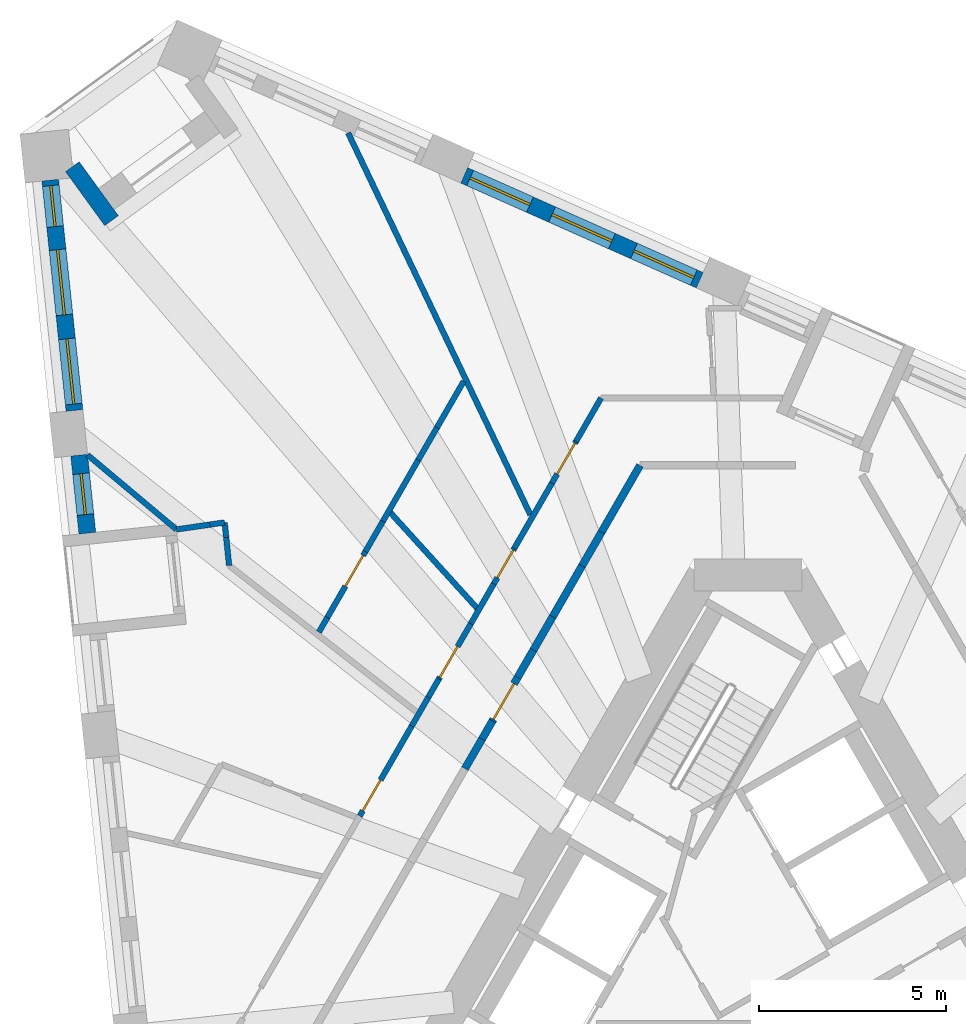
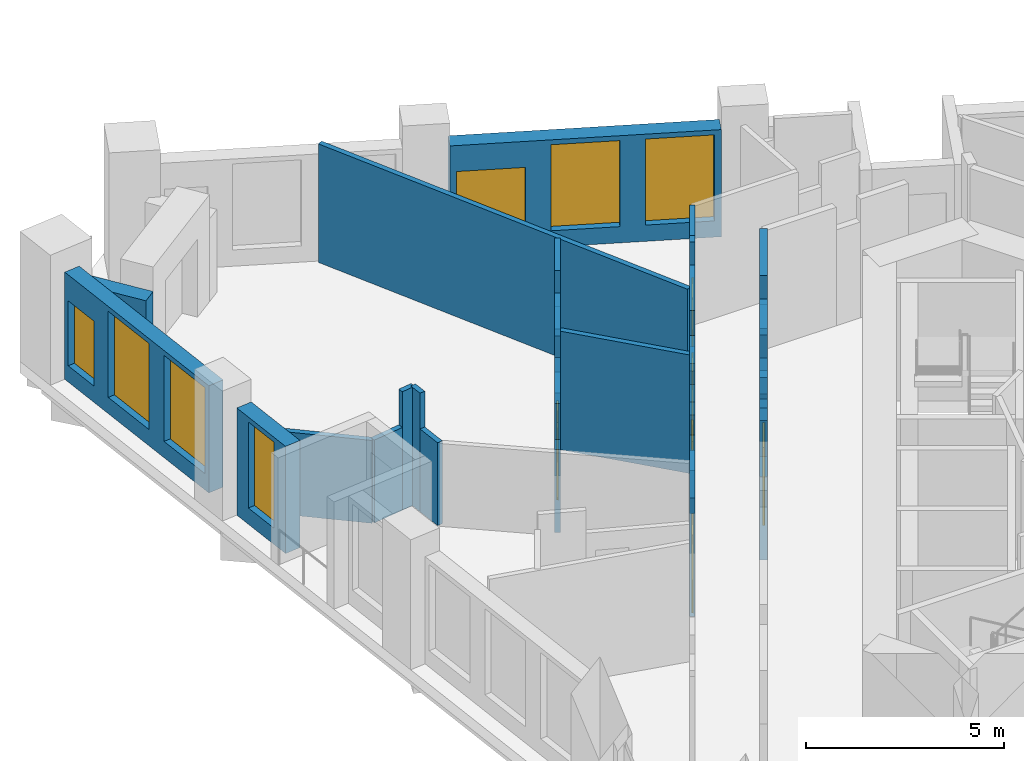
# One storey, part 7 of 14: 34 walls, 7 windows, 6 doors, 13 openings.
"""IFC4 building model written with IfcOpenShell, lengths in metres."""

from ifc_helpers import new_model, si_unit, direction, frame, frame_2d, origin, place, context, subcontext, project, spatial, polyline, rectangle, outline, extrude, material, layer, layer_set, type_object, element, fill, save


model = new_model("IFC4")

# Units and contexts
model_context = context("Model", 3, precision=1e-05, world=origin(), true_north=direction((0.0, 1.0)))
body_context = subcontext(model_context, "Body", "Model", "MODEL_VIEW")
ifc_project = project(units=[si_unit("LENGTHUNIT", "METRE"), si_unit("AREAUNIT", "SQUARE_METRE"), si_unit("VOLUMEUNIT", "CUBIC_METRE"), si_unit("PLANEANGLEUNIT", "RADIAN"), si_unit("MASSUNIT", "GRAM", prefix="KILO")], contexts=[model_context])

# Site, building, storey
site_placement = place(None, origin())
site = spatial("IfcSite", under=ifc_project, at=site_placement, CompositionType="ELEMENT")
building_placement = place(site_placement, origin())
building = spatial("IfcBuilding", under=site, at=building_placement, Name="Tramontana Tower", CompositionType="ELEMENT")
storey_placement = place(building_placement, frame((0.0, 0.0, 182.800048828125)))
storey = spatial("IfcBuildingStorey", under=building, at=storey_placement, Name="L42", CompositionType="ELEMENT", Elevation=182.800048828125)

# Walls
ifc_material_1 = material(Name="Blockwork", Category="masonry")
ifc_layer_1 = layer(ifc_material_1, 0.199951171875)
ifc_layer_set_1 = layer_set([ifc_layer_1], Name="ENTRY WALL 200")
wall_type_1 = type_object("IfcWallType", Name="ENTRY WALL 200", PredefinedType="SOLIDWALL", material=ifc_layer_set_1)
wall_1_placement = place(storey_placement, frame((-7.561279296875, 5.403564453125, 0.0), z_axis=(0.0, 0.0, 1.0), x_axis=(0.499977996243, 0.866038107287, 0.0)))
element("IfcWall", 1, at=wall_1_placement, inside=storey, type_object=wall_type_1, Name="Wall v41-ew4-5", PredefinedType="SOLIDWALL", context=body_context, shape_type="SweptSolid", body=[
    extrude(rectangle(XDim=0.90966796875, YDim=0.199951171875, at=frame_2d((0.454833984375, 0.0))), origin(), (0.0, 0.0, 1.0), 2.550048828125),
])
wall_2_placement = place(storey_placement, frame((-7.1064453125, 6.19140625, 0.0), z_axis=(0.0, 0.0, 1.0), x_axis=(0.499986818241, 0.866033014143, 0.0)))
element("IfcWall", 2, at=wall_2_placement, inside=storey, type_object=wall_type_1, Name="Wall v41-ew4-6", PredefinedType="SOLIDWALL", context=body_context, shape_type="SweptSolid", body=[
    extrude(rectangle(XDim=0.5595703125, YDim=0.199951171875, at=frame_2d((0.27978515625, 0.0))), origin(), (0.0, 0.0, 1.0), 3.64990234375),
])

# Wall, opening, door
wall_3_placement = place(storey_placement, frame((-6.82666015625, 6.676025390625, 0.0), z_axis=(0.0, 0.0, 1.0), x_axis=(0.500062873969, 0.865989100438, 0.0)))
wall_3 = element("IfcWall", 3, at=wall_3_placement, inside=storey, type_object=wall_type_1, Name="Wall v41-ew4-7", PredefinedType="SOLIDWALL", context=body_context, shape_type="SweptSolid", body=[
    extrude(outline(polyline([(0.0, 0.0), (1.344970703125, 0.0), (1.344970703125, 2.550048828125), (0.391357421875, 2.550048828125), (0.391357421875, 3.64990234375), (0.0, 3.64990234375), (0.0, 0.0)])), frame((0.0, 0.10009765625, 0.0), z_axis=(0.0, -1.0, 0.0), x_axis=(1.0, 0.0, 0.0)), (0.0, 0.0, 1.0), 0.199951171875),
])
opening_1_placement = place(wall_3_placement, frame((0.050048828125, 0.0, 0.0)))
opening_1 = element("IfcOpeningElement", 4, at=opening_1_placement, cuts=wall_3, Name="Opening B4B-24", PredefinedType="OPENING", context=body_context, shape_type="SweptSolid", body=[
    extrude(rectangle(XDim=1.10009765625, YDim=2.39990234375, at=frame_2d((0.550048828125, 1.199951171875))), frame((0.0, 0.10986328125, 0.0), z_axis=(0.0, -1.0, 0.0), x_axis=(1.0, 0.0, 0.0)), (0.0, 0.0, 1.0), 0.219970703125),
])
ifc_material_2 = material(Name="Painted timber", Category="wood")
door_type_1 = type_object("IfcDoorType", Name="DOOR ENTRY 1100", OperationType="SINGLE_SWING_LEFT", PredefinedType="DOOR", material=ifc_material_2)
door_1_placement = place(opening_1_placement, origin())
door_1 = element("IfcDoor", 5, at=door_1_placement, inside=storey, type_object=door_type_1, Name="Door B4B-24", OperationType="SINGLE_SWING_RIGHT", OverallHeight=2.39990234375, OverallWidth=1.10009765625, PredefinedType="DOOR", context=body_context, shape_type="SweptSolid", body=[
    extrude(rectangle(XDim=1.10009765625, YDim=2.39990234375, at=frame_2d((0.550048828125, 1.199951171875))), frame((0.0, 0.02490234375, 0.0), z_axis=(0.0, -1.0, 0.0), x_axis=(1.0, 0.0, 0.0)), (0.0, 0.0, 1.0), 0.050048828125),
])
fill(opening_1, door_1)

# Walls
wall_4_placement = place(storey_placement, frame((-6.154052734375, 7.8408203125, 0.0), z_axis=(0.0, 0.0, 1.0), x_axis=(0.499822960955, 0.8661275932, 0.0)))
element("IfcWall", 6, at=wall_4_placement, inside=storey, type_object=wall_type_1, Name="Wall v41-ew4-8", PredefinedType="SOLIDWALL", context=body_context, shape_type="SweptSolid", body=[
    extrude(rectangle(XDim=0.841064453125, YDim=0.199951171875, at=frame_2d((0.42041015625, 0.0))), origin(), (0.0, 0.0, 1.0), 3.64990234375),
])
wall_5_placement = place(storey_placement, frame((-5.733642578125, 8.5693359375, 0.0), z_axis=(0.0, 0.0, 1.0), x_axis=(0.500079402778, 0.865979555715, 0.0)))
element("IfcWall", 7, at=wall_5_placement, inside=storey, type_object=wall_type_1, Name="Wall v41-ew4-9", PredefinedType="SOLIDWALL", context=body_context, shape_type="SweptSolid", body=[
    extrude(rectangle(XDim=1.026123046875, YDim=0.199951171875, at=frame_2d((0.51318359375, 0.0))), origin(), (0.0, 0.0, 1.0), 2.550048828125),
])
wall_6_placement = place(storey_placement, frame((-5.220458984375, 9.4580078125, 0.0), z_axis=(0.0, 0.0, 1.0), x_axis=(0.500031717574, 0.86600709086, 0.0)))
element("IfcWall", 8, at=wall_6_placement, inside=storey, type_object=wall_type_1, Name="Wall v41-ew4-10", PredefinedType="SOLIDWALL", context=body_context, shape_type="SweptSolid", body=[
    extrude(rectangle(XDim=1.57177734375, YDim=0.199951171875, at=frame_2d((0.785888671875, 0.0))), origin(), (0.0, 0.0, 1.0), 3.64990234375),
])
wall_7_placement = place(storey_placement, frame((-4.4345703125, 10.819091796875, 0.0), z_axis=(0.0, 0.0, 1.0), x_axis=(0.500054530113, 0.86599391852, 0.0)))
element("IfcWall", 9, at=wall_7_placement, inside=storey, type_object=wall_type_1, Name="Wall v41-ew4-11", PredefinedType="SOLIDWALL", context=body_context, shape_type="SweptSolid", body=[
    extrude(rectangle(XDim=1.03955078125, YDim=0.199951171875, at=frame_2d((0.519775390625, 0.0))), origin(), (0.0, 0.0, 1.0), 2.75),
])
wall_8_placement = place(storey_placement, frame((-3.914794921875, 11.71923828125, 0.0), z_axis=(0.0, 0.0, 1.0), x_axis=(0.499982825521, 0.866035319247, 0.0)))
element("IfcWall", 10, at=wall_8_placement, inside=storey, type_object=wall_type_1, Name="Wall v41-ew4-12", PredefinedType="SOLIDWALL", context=body_context, shape_type="SweptSolid", body=[
    extrude(rectangle(XDim=2.05615234375, YDim=0.199951171875, at=frame_2d((1.028076171875, 0.0))), origin(), (0.0, 0.0, 1.0), 3.64990234375),
])

# Wall, openings, windows
ifc_material_3 = material(Name="Precast concrete 60 MPa", Category="concrete")
ifc_layer_2 = layer(ifc_material_3, 0.449951171875)
ifc_layer_set_2 = layer_set([ifc_layer_2], Name="Precast concrete 60 MPa, 450 mm")
wall_type_2 = type_object("IfcWallType", Name="EW1 Stone-faced precast wall 450", PredefinedType="SOLIDWALL", material=ifc_layer_set_2)
wall_9_placement = place(storey_placement, frame((-18.63427734375, 21.116455078125, 0.0), z_axis=(0.0, 0.0, 1.0), x_axis=(0.104522399115, -0.994522532718, 0.0)))
wall_9 = element("IfcWall", 11, at=wall_9_placement, inside=storey, type_object=wall_type_2, Name="External wall L42 face 0 bay 1", PredefinedType="SOLIDWALL", context=body_context, shape_type="SweptSolid", body=[
    extrude(rectangle(XDim=6.182861328125, YDim=0.449951171875, at=frame_2d((3.09130859375, 0.0))), origin(), (0.0, 0.0, 1.0), 3.300048828125),
])
opening_2_placement = place(wall_9_placement, frame((0.147216796875, 0.0, 0.5)))
opening_2 = element("IfcOpeningElement", 12, at=opening_2_placement, cuts=wall_9, Name="Opening N2L", PredefinedType="OPENING", context=body_context, shape_type="SweptSolid", body=[
    extrude(rectangle(XDim=1.10009765625, YDim=2.0, at=frame_2d((0.550048828125, 1.0))), frame((0.0, 0.23486328125, 0.0), z_axis=(0.0, -1.0, 0.0), x_axis=(1.0, 0.0, 0.0)), (0.0, 0.0, 1.0), 0.469970703125),
])
opening_3_placement = place(wall_9_placement, frame((1.866455078125, 0.0, 0.5)))
opening_3 = element("IfcOpeningElement", 13, at=opening_3_placement, cuts=wall_9, Name="Opening M2", PredefinedType="OPENING", context=body_context, shape_type="SweptSolid", body=[
    extrude(rectangle(XDim=1.75, YDim=2.64990234375, at=frame_2d((0.875, 1.324951171875))), frame((0.0, 0.23486328125, 0.0), z_axis=(0.0, -1.0, 0.0), x_axis=(1.0, 0.0, 0.0)), (0.0, 0.0, 1.0), 0.469970703125),
])
opening_4_placement = place(wall_9_placement, frame((4.2607421875, 0.0, 0.5)))
opening_4 = element("IfcOpeningElement", 14, at=opening_4_placement, cuts=wall_9, Name="Opening M2", PredefinedType="OPENING", context=body_context, shape_type="SweptSolid", body=[
    extrude(rectangle(XDim=1.75, YDim=2.64990234375, at=frame_2d((0.875, 1.324951171875))), frame((0.0, 0.23486328125, 0.0), z_axis=(0.0, -1.0, 0.0), x_axis=(1.0, 0.0, 0.0)), (0.0, 0.0, 1.0), 0.469970703125),
])
ifc_material_4 = material(Name="Aluminum frame, double glazing unit", Category="aluminium")
window_type_1 = type_object("IfcWindowType", Name="M2 Window 1.75 x 2.65", PartitioningType="SINGLE_PANEL", PredefinedType="WINDOW", material=ifc_material_4)
window_1_placement = place(opening_3_placement, origin())
window_1 = element("IfcWindow", 15, at=window_1_placement, inside=storey, type_object=window_type_1, Name="Window M2 L42 face 0 module 2", OverallHeight=2.64990234375, OverallWidth=1.75, PartitioningType="SINGLE_PANEL", PredefinedType="WINDOW", context=body_context, shape_type="SweptSolid", body=[
    extrude(rectangle(XDim=1.75, YDim=2.64990234375, at=frame_2d((0.875, 1.324951171875))), frame((0.0, 0.030029296875, 0.0), z_axis=(0.0, -1.0, 0.0), x_axis=(1.0, 0.0, 0.0)), (0.0, 0.0, 1.0), 0.06005859375),
])
fill(opening_3, window_1)
window_2_placement = place(opening_4_placement, origin())
window_2 = element("IfcWindow", 16, at=window_2_placement, inside=storey, type_object=window_type_1, Name="Window M2 L42 face 0 module 3", OverallHeight=2.64990234375, OverallWidth=1.75, PartitioningType="SINGLE_PANEL", PredefinedType="WINDOW", context=body_context, shape_type="SweptSolid", body=[
    extrude(rectangle(XDim=1.75, YDim=2.64990234375, at=frame_2d((0.875, 1.324951171875))), frame((0.0, 0.030029296875, 0.0), z_axis=(0.0, -1.0, 0.0), x_axis=(1.0, 0.0, 0.0)), (0.0, 0.0, 1.0), 0.06005859375),
])
fill(opening_4, window_2)
ifc_material_5 = material(Name="Aluminum frame, double glazing unit", Category="aluminium")
window_type_2 = type_object("IfcWindowType", Name="N2L Window 1.1 x 2", PartitioningType="SINGLE_PANEL", PredefinedType="WINDOW", material=ifc_material_5)
window_3_placement = place(opening_2_placement, origin())
window_3 = element("IfcWindow", 17, at=window_3_placement, inside=storey, type_object=window_type_2, Name="Window N2L L42 face 0 module 1", OverallHeight=2.0, OverallWidth=1.10009765625, PartitioningType="SINGLE_PANEL", PredefinedType="WINDOW", context=body_context, shape_type="SweptSolid", body=[
    extrude(rectangle(XDim=1.10009765625, YDim=2.0, at=frame_2d((0.550048828125, 1.0))), frame((0.0, 0.030029296875, 0.0), z_axis=(0.0, -1.0, 0.0), x_axis=(1.0, 0.0, 0.0)), (0.0, 0.0, 1.0), 0.06005859375),
])
fill(opening_2, window_3)

# Wall, opening, window
wall_10_placement = place(storey_placement, frame((-17.862548828125, 13.774169921875, 0.0), z_axis=(0.0, 0.0, 1.0), x_axis=(0.104442071108, -0.994530971756, 0.0)))
wall_10 = element("IfcWall", 18, at=wall_10_placement, inside=storey, type_object=wall_type_2, Name="External wall L42 face 0 bay 2", PredefinedType="SOLIDWALL", context=body_context, shape_type="SweptSolid", body=[
    extrude(rectangle(XDim=2.094482421875, YDim=0.449951171875, at=frame_2d((1.04736328125, 0.0))), origin(), (0.0, 0.0, 1.0), 3.300048828125),
])
opening_5_placement = place(wall_10_placement, frame((0.4970703125, 0.0, 0.5)))
opening_5 = element("IfcOpeningElement", 19, at=opening_5_placement, cuts=wall_10, Name="Opening N2", PredefinedType="OPENING", context=body_context, shape_type="SweptSolid", body=[
    extrude(rectangle(XDim=1.10009765625, YDim=2.64990234375, at=frame_2d((0.550048828125, 1.324951171875))), frame((0.0, 0.23486328125, 0.0), z_axis=(0.0, -1.0, 0.0), x_axis=(1.0, 0.0, 0.0)), (0.0, 0.0, 1.0), 0.469970703125),
])
ifc_material_6 = material(Name="Aluminum frame, double glazing unit", Category="aluminium")
window_type_3 = type_object("IfcWindowType", Name="N2 Window 1.1 x 2.65", PartitioningType="SINGLE_PANEL", PredefinedType="WINDOW", material=ifc_material_6)
window_4_placement = place(opening_5_placement, origin())
window_4 = element("IfcWindow", 20, at=window_4_placement, inside=storey, type_object=window_type_3, Name="Window N2 L42 face 0 module 4", OverallHeight=2.64990234375, OverallWidth=1.10009765625, PartitioningType="SINGLE_PANEL", PredefinedType="WINDOW", context=body_context, shape_type="SweptSolid", body=[
    extrude(rectangle(XDim=1.10009765625, YDim=2.64990234375, at=frame_2d((0.550048828125, 1.324951171875))), frame((0.0, 0.030029296875, 0.0), z_axis=(0.0, -1.0, 0.0), x_axis=(1.0, 0.0, 0.0)), (0.0, 0.0, 1.0), 0.06005859375),
])
fill(opening_5, window_4)

# Wall, openings, windows
wall_11_placement = place(storey_placement, frame((-1.292236328125, 18.4453125, 0.0), z_axis=(0.0, 0.0, 1.0), x_axis=(-0.913543675585, 0.40674064562, 0.0)))
wall_11 = element("IfcWall", 21, at=wall_11_placement, inside=storey, type_object=wall_type_2, Name="External wall L42 face 2 bay 5", PredefinedType="SOLIDWALL", context=body_context, shape_type="SweptSolid", body=[
    extrude(rectangle(XDim=6.8828125, YDim=0.449951171875, at=frame_2d((3.44140625, 0.0))), origin(), (0.0, 0.0, 1.0), 3.300048828125),
])
opening_6_placement = place(wall_11_placement, frame((0.172119140625, 0.0, 0.5)))
opening_6 = element("IfcOpeningElement", 22, at=opening_6_placement, cuts=wall_11, Name="Opening M2", PredefinedType="OPENING", context=body_context, shape_type="SweptSolid", body=[
    extrude(rectangle(XDim=1.75, YDim=2.64990234375, at=frame_2d((0.875, 1.324951171875))), frame((0.0, 0.23486328125, 0.0), z_axis=(0.0, -1.0, 0.0), x_axis=(1.0, 0.0, 0.0)), (0.0, 0.0, 1.0), 0.469970703125),
])
opening_7_placement = place(wall_11_placement, frame((2.56640625, 0.0, 0.5)))
opening_7 = element("IfcOpeningElement", 23, at=opening_7_placement, cuts=wall_11, Name="Opening M2", PredefinedType="OPENING", context=body_context, shape_type="SweptSolid", body=[
    extrude(rectangle(XDim=1.75, YDim=2.64990234375, at=frame_2d((0.875, 1.324951171875))), frame((0.0, 0.23486328125, 0.0), z_axis=(0.0, -1.0, 0.0), x_axis=(1.0, 0.0, 0.0)), (0.0, 0.0, 1.0), 0.469970703125),
])
opening_8_placement = place(wall_11_placement, frame((4.960693359375, 0.0, 0.5)))
opening_8 = element("IfcOpeningElement", 24, at=opening_8_placement, cuts=wall_11, Name="Opening M2L", PredefinedType="OPENING", context=body_context, shape_type="SweptSolid", body=[
    extrude(rectangle(XDim=1.75, YDim=2.0, at=frame_2d((0.875, 1.0))), frame((0.0, 0.23486328125, 0.0), z_axis=(0.0, -1.0, 0.0), x_axis=(1.0, 0.0, 0.0)), (0.0, 0.0, 1.0), 0.469970703125),
])
window_5_placement = place(opening_6_placement, origin())
window_5 = element("IfcWindow", 25, at=window_5_placement, inside=storey, type_object=window_type_1, Name="Window M2 L42 face 2 module 13", OverallHeight=2.64990234375, OverallWidth=1.75, PartitioningType="SINGLE_PANEL", PredefinedType="WINDOW", context=body_context, shape_type="SweptSolid", body=[
    extrude(rectangle(XDim=1.75, YDim=2.64990234375, at=frame_2d((0.875, 1.324951171875))), frame((0.0, 0.030029296875, 0.0), z_axis=(0.0, -1.0, 0.0), x_axis=(1.0, 0.0, 0.0)), (0.0, 0.0, 1.0), 0.06005859375),
])
fill(opening_6, window_5)
window_6_placement = place(opening_7_placement, origin())
window_6 = element("IfcWindow", 26, at=window_6_placement, inside=storey, type_object=window_type_1, Name="Window M2 L42 face 2 module 14", OverallHeight=2.64990234375, OverallWidth=1.75, PartitioningType="SINGLE_PANEL", PredefinedType="WINDOW", context=body_context, shape_type="SweptSolid", body=[
    extrude(rectangle(XDim=1.75, YDim=2.64990234375, at=frame_2d((0.875, 1.324951171875))), frame((0.0, 0.030029296875, 0.0), z_axis=(0.0, -1.0, 0.0), x_axis=(1.0, 0.0, 0.0)), (0.0, 0.0, 1.0), 0.06005859375),
])
fill(opening_7, window_6)
ifc_material_7 = material(Name="Aluminum frame, double glazing unit", Category="aluminium")
window_type_4 = type_object("IfcWindowType", Name="M2L Window 1.75 x 2", PartitioningType="SINGLE_PANEL", PredefinedType="WINDOW", material=ifc_material_7)
window_7_placement = place(opening_8_placement, origin())
window_7 = element("IfcWindow", 27, at=window_7_placement, inside=storey, type_object=window_type_4, Name="Window M2L L42 face 2 module 15", OverallHeight=2.0, OverallWidth=1.75, PartitioningType="SINGLE_PANEL", PredefinedType="WINDOW", context=body_context, shape_type="SweptSolid", body=[
    extrude(rectangle(XDim=1.75, YDim=2.0, at=frame_2d((0.875, 1.0))), frame((0.0, 0.030029296875, 0.0), z_axis=(0.0, -1.0, 0.0), x_axis=(1.0, 0.0, 0.0)), (0.0, 0.0, 1.0), 0.06005859375),
])
fill(opening_8, window_7)

# Walls
wall_12_placement = place(storey_placement, frame((-18.04345703125, 21.474853515625, 0.0), z_axis=(0.0, 0.0, 1.0), x_axis=(0.587722853316, -0.809062326209, 0.0)))
element("IfcWall", 28, at=wall_12_placement, inside=storey, type_object=wall_type_2, Name="Corner loggia side wall L42 K40l", PredefinedType="SOLIDWALL", context=body_context, shape_type="SweptSolid", body=[
    extrude(rectangle(XDim=1.779052734375, YDim=0.449951171875, at=frame_2d((0.8896484375, 0.0))), origin(), (0.0, 0.0, 1.0), 2.550048828125),
])
ifc_material_8 = material(Name="Gypsum board partition")
ifc_layer_3 = layer(ifc_material_8, 0.14990234375)
ifc_layer_set_3 = layer_set([ifc_layer_3], Name="PARTITION 150")
wall_type_3 = type_object("IfcWallType", Name="PARTITION 150", PredefinedType="PARTITIONING", material=ifc_layer_set_3)
wall_13_placement = place(storey_placement, frame((-15.26611328125, 11.790283203125, 0.0), z_axis=(0.0, 0.0, 1.0), x_axis=(-0.766063729465, 0.642764624414, 0.0)))
element("IfcWall", 29, at=wall_13_placement, inside=storey, type_object=wall_type_3, Name="Wall v41-pw01-0", PredefinedType="PARTITIONING", context=body_context, shape_type="SweptSolid", body=[
    extrude(rectangle(XDim=3.0947265625, YDim=0.14990234375, at=frame_2d((1.54736328125, 0.0))), origin(), (0.0, 0.0, 1.0), 2.550048828125),
])

# Wall, opening, door
wall_14_placement = place(storey_placement, frame((-10.369384765625, 4.1396484375, 0.0), z_axis=(0.0, 0.0, 1.0), x_axis=(0.50000932403, 0.866020020486, 0.0)))
wall_14 = element("IfcWall", 30, at=wall_14_placement, inside=storey, type_object=wall_type_3, Name="Wall v41-pw02-4", PredefinedType="PARTITIONING", context=body_context, shape_type="SweptSolid", body=[
    extrude(rectangle(XDim=2.77490234375, YDim=0.14990234375, at=frame_2d((1.387451171875, 0.0))), origin(), (0.0, 0.0, 1.0), 3.64990234375),
])
opening_9_placement = place(wall_14_placement, frame((0.15966796875, 0.0, 0.0)))
opening_9 = element("IfcOpeningElement", 31, at=opening_9_placement, cuts=wall_14, Name="Opening B4B-04", PredefinedType="OPENING", context=body_context, shape_type="SweptSolid", body=[
    extrude(rectangle(XDim=0.949951171875, YDim=2.39990234375, at=frame_2d((0.47509765625, 1.199951171875))), frame((0.0, 0.0849609375, 0.0), z_axis=(0.0, -1.0, 0.0), x_axis=(1.0, 0.0, 0.0)), (0.0, 0.0, 1.0), 0.169921875),
])
ifc_material_9 = material(Name="Painted timber", Category="wood")
door_type_2 = type_object("IfcDoorType", Name="DOOR ROOM 950", OperationType="SINGLE_SWING_LEFT", PredefinedType="DOOR", material=ifc_material_9)
door_2_placement = place(opening_9_placement, origin())
door_2 = element("IfcDoor", 32, at=door_2_placement, inside=storey, type_object=door_type_2, Name="Door B4B-04", OperationType="SINGLE_SWING_RIGHT", OverallHeight=2.39990234375, OverallWidth=0.949951171875, PredefinedType="DOOR", context=body_context, shape_type="SweptSolid", body=[
    extrude(rectangle(XDim=0.949951171875, YDim=2.39990234375, at=frame_2d((0.47509765625, 1.199951171875))), frame((0.0, 0.02490234375, 0.0), z_axis=(0.0, -1.0, 0.0), x_axis=(1.0, 0.0, 0.0)), (0.0, 0.0, 1.0), 0.050048828125),
])
fill(opening_9, door_2)

# Walls
wall_15_placement = place(storey_placement, frame((-8.98193359375, 6.542724609375, 0.0), z_axis=(0.0, 0.0, 1.0), x_axis=(0.499969398072, 0.866043071095, 0.0)))
element("IfcWall", 33, at=wall_15_placement, inside=storey, type_object=wall_type_3, Name="Wall v41-pw02-5", PredefinedType="PARTITIONING", context=body_context, shape_type="SweptSolid", body=[
    extrude(rectangle(XDim=0.88427734375, YDim=0.14990234375, at=frame_2d((0.442138671875, 0.0))), origin(), (0.0, 0.0, 1.0), 2.550048828125),
])
wall_16_placement = place(storey_placement, frame((-8.539794921875, 7.30859375, 0.0), z_axis=(0.0, 0.0, 1.0), x_axis=(0.500069835465, 0.865985080505, 0.0)))
element("IfcWall", 34, at=wall_16_placement, inside=storey, type_object=wall_type_3, Name="Wall v41-pw02-6", PredefinedType="PARTITIONING", context=body_context, shape_type="SweptSolid", body=[
    extrude(rectangle(XDim=0.56787109375, YDim=0.14990234375, at=frame_2d((0.283935546875, 0.0))), origin(), (0.0, 0.0, 1.0), 3.64990234375),
])

# Wall, opening, door
wall_17_placement = place(storey_placement, frame((-8.255859375, 7.80029296875, 0.0), z_axis=(0.0, 0.0, 1.0), x_axis=(0.499933497514, 0.866063795608, 0.0)))
wall_17 = element("IfcWall", 35, at=wall_17_placement, inside=storey, type_object=wall_type_3, Name="Wall v41-pw02-7", PredefinedType="PARTITIONING", context=body_context, shape_type="SweptSolid", body=[
    extrude(outline(polyline([(0.0, 0.0), (1.702392578125, 0.0), (1.70263671875, 2.550048828125), (0.775634765625, 2.550048828125), (0.775634765625, 3.64990234375), (0.0, 3.64990234375), (0.0, 0.0)])), frame((0.0, 0.074951171875, 0.0), z_axis=(0.0, -1.0, 0.0), x_axis=(1.0, 0.0, 0.0)), (0.0, 0.0, 1.0), 0.14990234375),
])
opening_10_placement = place(wall_17_placement, frame((0.050048828125, 0.0, 0.0)))
opening_10 = element("IfcOpeningElement", 36, at=opening_10_placement, cuts=wall_17, Name="Opening B4B-01", PredefinedType="OPENING", context=body_context, shape_type="SweptSolid", body=[
    extrude(rectangle(XDim=0.949951171875, YDim=2.39990234375, at=frame_2d((0.47509765625, 1.199951171875))), frame((0.0, 0.0849609375, 0.0), z_axis=(0.0, -1.0, 0.0), x_axis=(1.0, 0.0, 0.0)), (0.0, 0.0, 1.0), 0.169921875),
])
door_3_placement = place(opening_10_placement, origin())
door_3 = element("IfcDoor", 37, at=door_3_placement, inside=storey, type_object=door_type_2, Name="Door B4B-01", OperationType="SINGLE_SWING_LEFT", OverallHeight=2.39990234375, OverallWidth=0.949951171875, PredefinedType="DOOR", context=body_context, shape_type="SweptSolid", body=[
    extrude(rectangle(XDim=0.949951171875, YDim=2.39990234375, at=frame_2d((0.47509765625, 1.199951171875))), frame((0.0, 0.02490234375, 0.0), z_axis=(0.0, -1.0, 0.0), x_axis=(1.0, 0.0, 0.0)), (0.0, 0.0, 1.0), 0.050048828125),
])
fill(opening_10, door_3)

# Wall
wall_18_placement = place(storey_placement, frame((-7.40478515625, 9.274658203125, 0.0), z_axis=(0.0, 0.0, 1.0), x_axis=(0.500061746146, 0.865989751695, 0.0)))
element("IfcWall", 38, at=wall_18_placement, inside=storey, type_object=wall_type_3, Name="Wall v41-pw02-8", PredefinedType="PARTITIONING", context=body_context, shape_type="SweptSolid", body=[
    extrude(rectangle(XDim=1.224853515625, YDim=0.14990234375, at=frame_2d((0.6123046875, 0.0))), origin(), (0.0, 0.0, 1.0), 3.64990234375),
])

# Wall, opening, door
wall_19_placement = place(storey_placement, frame((-6.792236328125, 10.33544921875, 0.0), z_axis=(0.0, 0.0, 1.0), x_axis=(0.500031897912, 0.866006986733, 0.0)))
wall_19 = element("IfcWall", 39, at=wall_19_placement, inside=storey, type_object=wall_type_3, Name="Wall v41-pw02-9", PredefinedType="PARTITIONING", context=body_context, shape_type="SweptSolid", body=[
    extrude(rectangle(XDim=1.0927734375, YDim=0.14990234375, at=frame_2d((0.54638671875, 0.0))), origin(), (0.0, 0.0, 1.0), 2.550048828125),
])
opening_11_placement = place(wall_19_placement, frame((0.192626953125, 0.0, 0.0)))
opening_11 = element("IfcOpeningElement", 40, at=opening_11_placement, cuts=wall_19, Name="Opening B4B-02", PredefinedType="OPENING", context=body_context, shape_type="SweptSolid", body=[
    extrude(rectangle(XDim=0.85009765625, YDim=2.39990234375, at=frame_2d((0.425048828125, 1.199951171875))), frame((0.0, 0.0849609375, 0.0), z_axis=(0.0, -1.0, 0.0), x_axis=(1.0, 0.0, 0.0)), (0.0, 0.0, 1.0), 0.169921875),
])
ifc_material_10 = material(Name="Painted timber", Category="wood")
door_type_3 = type_object("IfcDoorType", Name="DOOR BATH 850", OperationType="SINGLE_SWING_LEFT", PredefinedType="DOOR", material=ifc_material_10)
door_4_placement = place(opening_11_placement, origin())
door_4 = element("IfcDoor", 41, at=door_4_placement, inside=storey, type_object=door_type_3, Name="Door B4B-02", OperationType="SINGLE_SWING_RIGHT", OverallHeight=2.39990234375, OverallWidth=0.85009765625, PredefinedType="DOOR", context=body_context, shape_type="SweptSolid", body=[
    extrude(rectangle(XDim=0.85009765625, YDim=2.39990234375, at=frame_2d((0.425048828125, 1.199951171875))), frame((0.0, 0.02490234375, 0.0), z_axis=(0.0, -1.0, 0.0), x_axis=(1.0, 0.0, 0.0)), (0.0, 0.0, 1.0), 0.050048828125),
])
fill(opening_11, door_4)

# Wall
wall_20_placement = place(storey_placement, frame((-6.245849609375, 11.28173828125, 0.0), z_axis=(0.0, 0.0, 1.0), x_axis=(0.499984757355, 0.866034203951, 0.0)))
element("IfcWall", 42, at=wall_20_placement, inside=storey, type_object=wall_type_3, Name="Wall v41-pw02-10", PredefinedType="PARTITIONING", context=body_context, shape_type="SweptSolid", body=[
    extrude(rectangle(XDim=2.01416015625, YDim=0.14990234375, at=frame_2d((1.007080078125, 0.0))), origin(), (0.0, 0.0, 1.0), 3.64990234375),
])

# Wall, opening, door
wall_21_placement = place(storey_placement, frame((-5.23876953125, 13.026123046875, 0.0), z_axis=(0.0, 0.0, 1.0), x_axis=(0.500013971981, 0.866017336907, 0.0)))
wall_21 = element("IfcWall", 43, at=wall_21_placement, inside=storey, type_object=wall_type_3, Name="Wall v41-pw02-11", PredefinedType="PARTITIONING", context=body_context, shape_type="SweptSolid", body=[
    extrude(outline(polyline([(0.0, 0.0), (1.28076171875, 0.0), (1.28076171875, 3.64990234375), (1.0068359375, 3.64990234375), (1.0068359375, 2.75), (0.0, 2.75), (0.0, 0.0)])), frame((0.0, 0.074951171875, 0.0), z_axis=(0.0, -1.0, 0.0), x_axis=(1.0, 0.0, 0.0)), (0.0, 0.0, 1.0), 0.14990234375),
])
opening_12_placement = place(wall_21_placement, frame((0.28076171875, 0.0, 0.0)))
opening_12 = element("IfcOpeningElement", 44, at=opening_12_placement, cuts=wall_21, Name="Opening B4B-03", PredefinedType="OPENING", context=body_context, shape_type="SweptSolid", body=[
    extrude(rectangle(XDim=0.949951171875, YDim=2.39990234375, at=frame_2d((0.47509765625, 1.199951171875))), frame((0.0, 0.0849609375, 0.0), z_axis=(0.0, -1.0, 0.0), x_axis=(1.0, 0.0, 0.0)), (0.0, 0.0, 1.0), 0.169921875),
])
door_5_placement = place(opening_12_placement, origin())
door_5 = element("IfcDoor", 45, at=door_5_placement, inside=storey, type_object=door_type_2, Name="Door B4B-03", OperationType="SINGLE_SWING_LEFT", OverallHeight=2.39990234375, OverallWidth=0.949951171875, PredefinedType="DOOR", context=body_context, shape_type="SweptSolid", body=[
    extrude(rectangle(XDim=0.949951171875, YDim=2.39990234375, at=frame_2d((0.47509765625, 1.199951171875))), frame((0.0, 0.02490234375, 0.0), z_axis=(0.0, -1.0, 0.0), x_axis=(1.0, 0.0, 0.0)), (0.0, 0.0, 1.0), 0.050048828125),
])
fill(opening_12, door_5)

# Walls
wall_22_placement = place(storey_placement, frame((-4.598388671875, 14.13525390625, 0.0), z_axis=(0.0, 0.0, 1.0), x_axis=(0.500005339912, 0.866022320763, 0.0)))
element("IfcWall", 46, at=wall_22_placement, inside=storey, type_object=wall_type_3, Name="Wall v41-pw02-12", PredefinedType="PARTITIONING", context=body_context, shape_type="SweptSolid", body=[
    extrude(rectangle(XDim=1.3447265625, YDim=0.14990234375, at=frame_2d((0.67236328125, 0.0))), origin(), (0.0, 0.0, 1.0), 3.64990234375),
])
wall_23_placement = place(storey_placement, frame((-13.980224609375, 11.97607421875, 0.0), z_axis=(0.0, 0.0, 1.0), x_axis=(-0.989726419038, -0.142974177594, 0.0)))
element("IfcWall", 47, at=wall_23_placement, inside=storey, type_object=wall_type_3, Name="Wall v41-pw10-0", PredefinedType="PARTITIONING", context=body_context, shape_type="SweptSolid", body=[
    extrude(rectangle(XDim=0.396240234375, YDim=0.14990234375, at=frame_2d((0.1982421875, 0.0))), origin(), (0.0, 0.0, 1.0), 3.64990234375),
])
wall_24_placement = place(storey_placement, frame((-14.372314453125, 11.91943359375, 0.0), z_axis=(0.0, 0.0, 1.0), x_axis=(-0.989721130338, -0.143010783379, 0.0)))
element("IfcWall", 48, at=wall_24_placement, inside=storey, type_object=wall_type_3, Name="Wall v41-pw10-1", PredefinedType="PARTITIONING", context=body_context, shape_type="SweptSolid", body=[
    extrude(rectangle(XDim=0.903076171875, YDim=0.14990234375, at=frame_2d((0.45166015625, 0.0))), origin(), (0.0, 0.0, 1.0), 2.550048828125),
])
wall_25_placement = place(storey_placement, frame((-13.857421875, 10.82666015625, 0.0), z_axis=(0.0, 0.0, 1.0), x_axis=(-0.104549570968, 0.994519676633, 0.0)))
element("IfcWall", 49, at=wall_25_placement, inside=storey, type_object=wall_type_3, Name="Wall v41-pw11-0", PredefinedType="PARTITIONING", context=body_context, shape_type="SweptSolid", body=[
    extrude(rectangle(XDim=0.751953125, YDim=0.14990234375, at=frame_2d((0.3759765625, 0.0))), origin(), (0.0, 0.0, 1.0), 2.550048828125),
])
wall_26_placement = place(storey_placement, frame((-13.93603515625, 11.574462890625, 0.0), z_axis=(0.0, 0.0, 1.0), x_axis=(-0.104495033746, 0.994525408385, 0.0)))
element("IfcWall", 50, at=wall_26_placement, inside=storey, type_object=wall_type_3, Name="Wall v41-pw11-1", PredefinedType="PARTITIONING", context=body_context, shape_type="SweptSolid", body=[
    extrude(rectangle(XDim=0.40185546875, YDim=0.14990234375, at=frame_2d((0.200927734375, 0.0))), origin(), (0.0, 0.0, 1.0), 3.64990234375),
])
wall_27_placement = place(storey_placement, frame((-11.460693359375, 9.049560546875, 0.0), z_axis=(0.0, 0.0, 1.0), x_axis=(0.500160228243, 0.8659328762, 0.0)))
element("IfcWall", 51, at=wall_27_placement, inside=storey, type_object=wall_type_3, Name="Wall v41-pw15-0", PredefinedType="PARTITIONING", context=body_context, shape_type="SweptSolid", body=[
    extrude(rectangle(XDim=0.450439453125, YDim=0.14990234375, at=frame_2d((0.22509765625, 0.0))), origin(), (0.0, 0.0, 1.0), 2.550048828125),
])

# Wall, opening, door
wall_28_placement = place(storey_placement, frame((-11.2353515625, 9.439697265625, 0.0), z_axis=(0.0, 0.0, 1.0), x_axis=(0.500009753642, 0.866019772443, 0.0)))
wall_28 = element("IfcWall", 52, at=wall_28_placement, inside=storey, type_object=wall_type_3, Name="Wall v41-pw15-1", PredefinedType="PARTITIONING", context=body_context, shape_type="SweptSolid", body=[
    extrude(rectangle(XDim=2.03515625, YDim=0.14990234375, at=frame_2d((1.017578125, 0.0))), origin(), (0.0, 0.0, 1.0), 3.64990234375),
])
opening_13_placement = place(wall_28_placement, frame((0.962158203125, 0.0, 0.0)))
opening_13 = element("IfcOpeningElement", 53, at=opening_13_placement, cuts=wall_28, Name="Opening B4B-23", PredefinedType="OPENING", context=body_context, shape_type="SweptSolid", body=[
    extrude(rectangle(XDim=0.949951171875, YDim=2.39990234375, at=frame_2d((0.47509765625, 1.199951171875))), frame((0.0, 0.0849609375, 0.0), z_axis=(0.0, -1.0, 0.0), x_axis=(1.0, 0.0, 0.0)), (0.0, 0.0, 1.0), 0.169921875),
])
door_6_placement = place(opening_13_placement, origin())
door_6 = element("IfcDoor", 54, at=door_6_placement, inside=storey, type_object=door_type_2, Name="Door B4B-23", OperationType="SINGLE_SWING_LEFT", OverallHeight=2.39990234375, OverallWidth=0.949951171875, PredefinedType="DOOR", context=body_context, shape_type="SweptSolid", body=[
    extrude(rectangle(XDim=0.949951171875, YDim=2.39990234375, at=frame_2d((0.47509765625, 1.199951171875))), frame((0.0, 0.02490234375, 0.0), z_axis=(0.0, -1.0, 0.0), x_axis=(1.0, 0.0, 0.0)), (0.0, 0.0, 1.0), 0.050048828125),
])
fill(opening_13, door_6)

# Walls
wall_29_placement = place(storey_placement, frame((-10.2177734375, 11.2021484375, 0.0), z_axis=(0.0, 0.0, 1.0), x_axis=(0.499935264145, 0.866062775822, 0.0)))
element("IfcWall", 55, at=wall_29_placement, inside=storey, type_object=wall_type_3, Name="Wall v41-pw15-2", PredefinedType="PARTITIONING", context=body_context, shape_type="SweptSolid", body=[
    extrude(rectangle(XDim=0.9267578125, YDim=0.14990234375, at=frame_2d((0.46337890625, 0.0))), origin(), (0.0, 0.0, 1.0), 2.550048828125),
])
wall_30_placement = place(storey_placement, frame((-9.75439453125, 12.0048828125, 0.0), z_axis=(0.0, 0.0, 1.0), x_axis=(0.499971120268, 0.866042076863, 0.0)))
element("IfcWall", 56, at=wall_30_placement, inside=storey, type_object=wall_type_3, Name="Wall v41-pw15-3", PredefinedType="PARTITIONING", context=body_context, shape_type="SweptSolid", body=[
    extrude(rectangle(XDim=1.89794921875, YDim=0.14990234375, at=frame_2d((0.948974609375, 0.0))), origin(), (0.0, 0.0, 1.0), 3.64990234375),
])
wall_31_placement = place(storey_placement, frame((-8.805419921875, 13.648681640625, 0.0), z_axis=(0.0, 0.0, 1.0), x_axis=(0.499955472713, 0.866051110099, 0.0)))
element("IfcWall", 57, at=wall_31_placement, inside=storey, type_object=wall_type_3, Name="Wall v41-pw15-4", PredefinedType="PARTITIONING", context=body_context, shape_type="SweptSolid", body=[
    extrude(rectangle(XDim=0.99755859375, YDim=0.14990234375, at=frame_2d((0.498779296875, 0.0))), origin(), (0.0, 0.0, 1.0), 2.550048828125),
])
wall_32_placement = place(storey_placement, frame((-8.306640625, 14.5126953125, 0.0), z_axis=(0.0, 0.0, 1.0), x_axis=(0.500059846627, 0.865990848561, 0.0)))
element("IfcWall", 58, at=wall_32_placement, inside=storey, type_object=wall_type_3, Name="Wall v41-pw15-5", PredefinedType="PARTITIONING", context=body_context, shape_type="SweptSolid", body=[
    extrude(rectangle(XDim=1.419677734375, YDim=0.14990234375, at=frame_2d((0.7099609375, 0.0))), origin(), (0.0, 0.0, 1.0), 3.64990234375),
])
wall_33_placement = place(storey_placement, frame((-10.68115234375, 22.379150390625, 0.0), z_axis=(0.0, 0.0, 1.0), x_axis=(0.430745182643, -0.902473593868, 0.0)))
element("IfcWall", 59, at=wall_33_placement, inside=storey, type_object=wall_type_3, Name="Wall v41-pw18", PredefinedType="PARTITIONING", context=body_context, shape_type="SweptSolid", body=[
    extrude(rectangle(XDim=11.300537109375, YDim=0.14990234375, at=frame_2d((5.650390625, 0.0))), origin(), (0.0, 0.0, 1.0), 3.64990234375),
])
wall_34_placement = place(storey_placement, frame((-9.59130859375, 12.283203125, 0.0), z_axis=(0.0, 0.0, 1.0), x_axis=(0.671834154891, -0.740701605454, 0.0)))
element("IfcWall", 60, at=wall_34_placement, inside=storey, type_object=wall_type_3, Name="Wall v41-pw19", PredefinedType="PARTITIONING", context=body_context, shape_type="SweptSolid", body=[
    extrude(rectangle(XDim=3.56640625, YDim=0.14990234375, at=frame_2d((1.783203125, 0.0))), origin(), (0.0, 0.0, 1.0), 3.64990234375),
])

save(model, "model.ifc")
